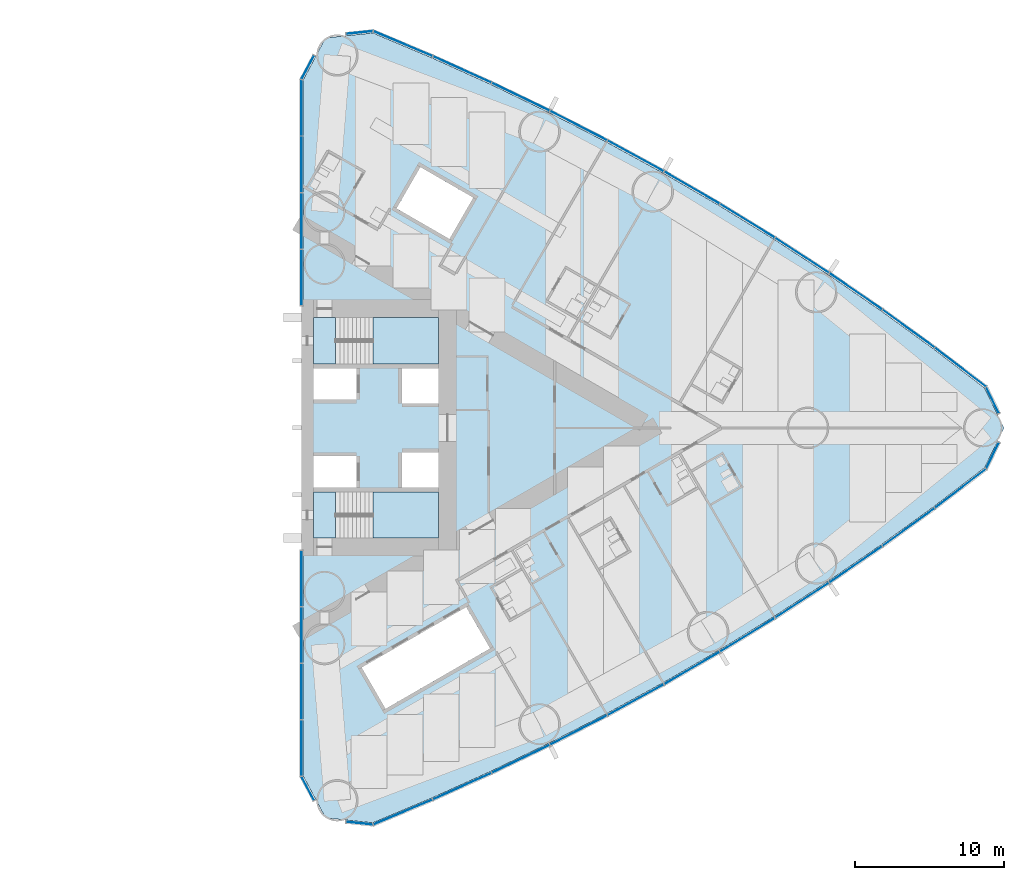
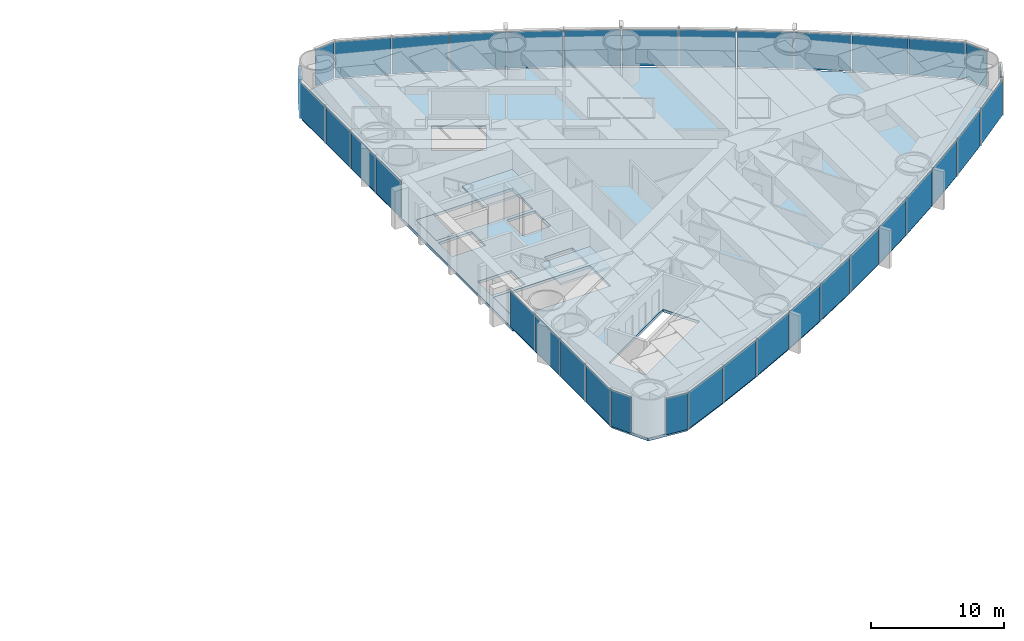
# One storey, part 10 of 19: 36 plates, 5 slabs, 6 elements without a shape of their own.
"""IFC4 building model written with IfcOpenShell, lengths in metres."""

from ifc_helpers import new_model, si_unit, direction, frame, origin, origin_2d, place, context, subcontext, project, spatial, polyline, rectangle, outline, extrude, material, layer, layer_set, type_object, element, aggregate, save


model = new_model("IFC4")

# Units and contexts
model_context = context("Model", 3, precision=1e-05, world=origin(), true_north=direction((0.0, 1.0)))
body_context = subcontext(model_context, "Body", "Model", "MODEL_VIEW")
ifc_project = project(units=[si_unit("LENGTHUNIT", "METRE"), si_unit("AREAUNIT", "SQUARE_METRE"), si_unit("VOLUMEUNIT", "CUBIC_METRE"), si_unit("PLANEANGLEUNIT", "RADIAN"), si_unit("MASSUNIT", "GRAM", prefix="KILO")], contexts=[model_context])

# Site, building, storey
site_placement = place(None, origin())
site = spatial("IfcSite", under=ifc_project, at=site_placement, CompositionType="ELEMENT")
building_placement = place(site_placement, origin())
building = spatial("IfcBuilding", under=site, at=building_placement, Name="Lancet Gate Hotel", CompositionType="ELEMENT")
storey_placement = place(building_placement, frame((0.0, 0.0, 67.0)))
storey = spatial("IfcBuildingStorey", under=building, at=storey_placement, Name="L17", CompositionType="ELEMENT", Elevation=67.0)

# Slab
ifc_material_1 = material(Name="Concrete C50/60", Category="concrete")
ifc_layer_1 = layer(ifc_material_1, 0.25)
ifc_layer_set_1 = layer_set([ifc_layer_1], Name="Floor slab 250")
slab_type_1 = type_object("IfcSlabType", Name="Floor slab 250", PredefinedType="FLOOR", material=ifc_layer_set_1)
slab_1_placement = place(storey_placement, frame((0.0, 0.0, -0.25)))
element("IfcSlab", 1, at=slab_1_placement, inside=storey, type_object=slab_type_1, Name="T2 L17 floor slab", PredefinedType="FLOOR", context=body_context, shape_type="SweptSolid", body=[
    extrude(outline(polyline([(27.5, -8.60009765625), (27.6201171875, -8.60009765625), (27.6201171875, -23.35498046875), (29.12158203125, -26.175537109375), (32.299072265625, -26.5048828125), (36.26708984375, -24.833740234375), (40.2177734375, -23.050048828125), (44.121826171875, -21.16650390625), (47.9765625, -19.18408203125), (51.77978515625, -17.104248046875), (55.528564453125, -14.92822265625), (59.220947265625, -12.657470703125), (62.854248046875, -10.29345703125), (66.42626953125, -7.837890625), (69.934814453125, -5.292236328125), (73.355712890625, -2.67431640625), (74.65576171875, 0.0), (73.355712890625, 2.67431640625), (69.934814453125, 5.292236328125), (66.42626953125, 7.837890625), (62.854248046875, 10.29345703125), (59.220947265625, 12.657470703125), (55.528564453125, 14.92822265625), (51.77978515625, 17.104248046875), (47.9765625, 19.18408203125), (44.121826171875, 21.16650390625), (40.2177734375, 23.050048828125), (36.26708984375, 24.833740234375), (32.299072265625, 26.5048828125), (29.12158203125, 26.175537109375), (27.6201171875, 23.35498046875), (27.6201171875, 8.60009765625), (27.5, 8.60009765625), (27.5, 8.199951171875), (27.5, -8.199951171875), (27.5, -8.60009765625)]), holes=[polyline([(36.699951171875, -7.39990234375), (36.699951171875, -4.300048828125), (28.300048828125, -4.300048828125), (28.300048828125, -7.39990234375), (36.699951171875, -7.39990234375)]), polyline([(28.300048828125, -4.0), (31.199951171875, -4.0), (31.199951171875, -1.89990234375), (28.300048828125, -1.89990234375), (28.300048828125, -4.0)]), polyline([(34.25, -4.0), (36.699951171875, -4.0), (36.699951171875, -1.64990234375), (34.25, -1.64990234375), (34.25, -4.0)]), polyline([(36.699951171875, 1.64990234375), (36.699951171875, 4.0), (34.25, 4.0), (34.25, 1.64990234375), (36.699951171875, 1.64990234375)]), polyline([(28.300048828125, 1.89990234375), (31.199951171875, 1.89990234375), (31.199951171875, 4.0), (28.300048828125, 4.0), (28.300048828125, 1.89990234375)]), polyline([(28.300048828125, 4.300048828125), (36.699951171875, 4.300048828125), (36.699951171875, 7.39990234375), (28.300048828125, 7.39990234375), (28.300048828125, 4.300048828125)]), polyline([(31.549072265625, -16.0810546875), (33.14892578125, -18.85205078125), (40.1640625, -14.802001953125), (38.56396484375, -12.031005859375), (31.549072265625, -16.0810546875)]), polyline([(33.887939453125, 14.73095703125), (37.43798828125, 12.680908203125), (39.0380859375, 15.451904296875), (35.488037109375, 17.501953125), (33.887939453125, 14.73095703125)])]), origin(), (0.0, 0.0, 1.0), 0.25),
])

# Stair, slabs
ifc_material_2 = material(Name="Exit stair 20 risers 1500")
stair_type = type_object("IfcStairType", Name="Exit stair 20 risers 1500", PredefinedType="HALF_TURN_STAIR", material=ifc_material_2)
stair_1_placement = place(storey_placement, origin())
stair_1 = element("IfcStair", 2, at=stair_1_placement, inside=storey, type_object=stair_type, Name="T2 stair 1 L17", PredefinedType="HALF_TURN_STAIR")
ifc_material_3 = material(Name="Concrete C40/50", Category="concrete")
ifc_layer_2 = layer(ifc_material_3, 0.199951171875)
ifc_layer_set_2 = layer_set([ifc_layer_2], Name="Stair landing 200")
slab_type_2 = type_object("IfcSlabType", Name="Stair landing 200", PredefinedType="LANDING", material=ifc_layer_set_2)
slab_2_placement = place(storey_placement, frame((0.0, 0.0, -0.199951171875)))
slab_2 = element("IfcSlab", 3, at=slab_2_placement, type_object=slab_type_2, Name="ST3 landing 1", PredefinedType="LANDING", context=body_context, shape_type="SweptSolid", body=[
    extrude(outline(polyline([(28.300048828125, -7.39990234375), (29.800048828125, -7.39990234375), (29.800048828125, -4.300048828125), (28.300048828125, -4.300048828125), (28.300048828125, -7.39990234375)])), origin(), (0.0, 0.0, 1.0), 0.199951171875),
])
slab_3_placement = place(storey_placement, frame((0.0, 0.0, 1.550048828125)))
slab_3 = element("IfcSlab", 4, at=slab_3_placement, type_object=slab_type_2, Name="ST3 landing 2", PredefinedType="LANDING", context=body_context, shape_type="SweptSolid", body=[
    extrude(outline(polyline([(32.320068359375, -7.39990234375), (36.699951171875, -7.39990234375), (36.699951171875, -4.300048828125), (32.320068359375, -4.300048828125), (32.320068359375, -7.39990234375)])), origin(), (0.0, 0.0, 1.0), 0.199951171875),
])
aggregate(stair_1, [slab_2, slab_3])

stair_2_placement = place(storey_placement, origin())
stair_2 = element("IfcStair", 5, at=stair_2_placement, inside=storey, type_object=stair_type, Name="T2 stair 2 L17", PredefinedType="HALF_TURN_STAIR")
slab_4_placement = place(storey_placement, frame((0.0, 0.0, -0.199951171875)))
slab_4 = element("IfcSlab", 6, at=slab_4_placement, type_object=slab_type_2, Name="ST4 landing 1", PredefinedType="LANDING", context=body_context, shape_type="SweptSolid", body=[
    extrude(outline(polyline([(28.300048828125, 4.300048828125), (29.800048828125, 4.300048828125), (29.800048828125, 7.39990234375), (28.300048828125, 7.39990234375), (28.300048828125, 4.300048828125)])), origin(), (0.0, 0.0, 1.0), 0.199951171875),
])
slab_5_placement = place(storey_placement, frame((0.0, 0.0, 1.550048828125)))
slab_5 = element("IfcSlab", 7, at=slab_5_placement, type_object=slab_type_2, Name="ST4 landing 2", PredefinedType="LANDING", context=body_context, shape_type="SweptSolid", body=[
    extrude(outline(polyline([(32.320068359375, 4.300048828125), (36.699951171875, 4.300048828125), (36.699951171875, 7.39990234375), (32.320068359375, 7.39990234375), (32.320068359375, 4.300048828125)])), origin(), (0.0, 0.0, 1.0), 0.199951171875),
])
aggregate(stair_2, [slab_4, slab_5])

# Curtain wall, plates
ifc_material_4 = material(Name="Aluminium curtain wall", Category="aluminium")
curtain_wall_type = type_object("IfcCurtainWallType", Name="Tower unitised curtain wall", PredefinedType="USERDEFINED", material=ifc_material_4)
curtain_wall_1_placement = place(storey_placement, origin())
curtain_wall_1 = element("IfcCurtainWall", 8, at=curtain_wall_1_placement, inside=storey, type_object=curtain_wall_type, Name="T2 L17 curtain wall 1", ObjectType="UNITISED CURTAIN WALL", PredefinedType="USERDEFINED")
ifc_material_5 = material(Name="Glass double glazed unit 8-16-6", Category="glass")
ifc_layer_3 = layer(ifc_material_5, 0.030029296875)
ifc_layer_set_3 = layer_set([ifc_layer_3], Name="Vision panel double glazed")
plate_type = type_object("IfcPlateType", Name="Vision panel double glazed", PredefinedType="CURTAIN_PANEL", material=ifc_layer_set_3)
plate_1_placement = place(storey_placement, frame((27.5, -10.09814453125, 0.0), z_axis=(0.0, 0.0, 1.0), x_axis=(0.0, -1.0, 0.0)))
plate_1 = element("IfcPlate", 9, at=plate_1_placement, type_object=plate_type, Name="T2 L17 curtain wall 1 panel 1", PredefinedType="CURTAIN_PANEL", context=body_context, shape_type="SweptSolid", body=[
    extrude(rectangle(XDim=3.731201171875, YDim=0.030029296875, at=origin_2d()), origin(), (0.0, 0.0, 1.0), 3.35009765625),
])
plate_2_placement = place(storey_placement, frame((27.5, -13.894287109375, 0.0), z_axis=(0.0, 0.0, 1.0), x_axis=(0.0, -1.0, 0.0)))
plate_2 = element("IfcPlate", 10, at=plate_2_placement, type_object=plate_type, Name="T2 L17 curtain wall 1 panel 2", PredefinedType="CURTAIN_PANEL", context=body_context, shape_type="SweptSolid", body=[
    extrude(rectangle(XDim=3.731201171875, YDim=0.030029296875, at=origin_2d()), origin(), (0.0, 0.0, 1.0), 3.35009765625),
])
plate_3_placement = place(storey_placement, frame((27.5, -17.6904296875, 0.0), z_axis=(0.0, 0.0, 1.0), x_axis=(0.0, -1.0, 0.0)))
plate_3 = element("IfcPlate", 11, at=plate_3_placement, type_object=plate_type, Name="T2 L17 curtain wall 1 panel 3", PredefinedType="CURTAIN_PANEL", context=body_context, shape_type="SweptSolid", body=[
    extrude(rectangle(XDim=3.731201171875, YDim=0.030029296875, at=origin_2d()), origin(), (0.0, 0.0, 1.0), 3.35009765625),
])
plate_4_placement = place(storey_placement, frame((27.5, -21.48681640625, 0.0), z_axis=(0.0, 0.0, 1.0), x_axis=(0.0, -1.0, 0.0)))
plate_4 = element("IfcPlate", 12, at=plate_4_placement, type_object=plate_type, Name="T2 L17 curtain wall 1 panel 4", PredefinedType="CURTAIN_PANEL", context=body_context, shape_type="SweptSolid", body=[
    extrude(rectangle(XDim=3.731201171875, YDim=0.030029296875, at=origin_2d()), origin(), (0.0, 0.0, 1.0), 3.35009765625),
])
plate_5_placement = place(storey_placement, frame((27.933349609375, -24.19873046875, 0.0), z_axis=(0.0, 0.0, 1.0), x_axis=(0.469897827284, -0.882720811987, 0.0)))
plate_5 = element("IfcPlate", 13, at=plate_5_placement, type_object=plate_type, Name="T2 L17 curtain wall 1 panel 5", PredefinedType="CURTAIN_PANEL", context=body_context, shape_type="SweptSolid", body=[
    extrude(rectangle(XDim=1.779052734375, YDim=0.030029296875, at=origin_2d()), origin(), (0.0, 0.0, 1.0), 3.35009765625),
])
aggregate(curtain_wall_1, [plate_1, plate_2, plate_3, plate_4, plate_5])

curtain_wall_2_placement = place(storey_placement, origin())
curtain_wall_2 = element("IfcCurtainWall", 14, at=curtain_wall_2_placement, inside=storey, type_object=curtain_wall_type, Name="T2 L17 curtain wall 2", ObjectType="UNITISED CURTAIN WALL", PredefinedType="USERDEFINED")
plate_6_placement = place(storey_placement, frame((31.400634765625, -26.532470703125, 0.0), z_axis=(0.0, 0.0, 1.0), x_axis=(0.994672262412, -0.10308778001, 0.0)))
plate_6 = element("IfcPlate", 15, at=plate_6_placement, type_object=plate_type, Name="T2 L17 curtain wall 2 panel 1", PredefinedType="CURTAIN_PANEL", context=body_context, shape_type="SweptSolid", body=[
    extrude(rectangle(XDim=1.7783203125, YDim=0.030029296875, at=origin_2d()), origin(), (0.0, 0.0, 1.0), 3.35009765625),
])
plate_7_placement = place(storey_placement, frame((34.316162109375, -25.78564453125, 0.0), z_axis=(0.0, 0.0, 1.0), x_axis=(0.92159330598, 0.38815689917, 0.0)))
plate_7 = element("IfcPlate", 16, at=plate_7_placement, type_object=plate_type, Name="T2 L17 curtain wall 2 panel 2", PredefinedType="CURTAIN_PANEL", context=body_context, shape_type="SweptSolid", body=[
    extrude(rectangle(XDim=4.272705078125, YDim=0.030029296875, at=origin_2d()), origin(), (0.0, 0.0, 1.0), 3.35009765625),
])
plate_8_placement = place(storey_placement, frame((38.291748046875, -24.05126953125, 0.0), z_axis=(0.0, 0.0, 1.0), x_axis=(0.911415640556, 0.41148697446, 0.0)))
plate_8 = element("IfcPlate", 17, at=plate_8_placement, type_object=plate_type, Name="T2 L17 curtain wall 2 panel 3", PredefinedType="CURTAIN_PANEL", context=body_context, shape_type="SweptSolid", body=[
    extrude(rectangle(XDim=4.272705078125, YDim=0.030029296875, at=origin_2d()), origin(), (0.0, 0.0, 1.0), 3.35009765625),
])
plate_9_placement = place(storey_placement, frame((42.221923828125, -22.21630859375, 0.0), z_axis=(0.0, 0.0, 1.0), x_axis=(0.90064748964, 0.434550456686, 0.0)))
plate_9 = element("IfcPlate", 18, at=plate_9_placement, type_object=plate_type, Name="T2 L17 curtain wall 2 panel 4", PredefinedType="CURTAIN_PANEL", context=body_context, shape_type="SweptSolid", body=[
    extrude(rectangle(XDim=4.272705078125, YDim=0.030029296875, at=origin_2d()), origin(), (0.0, 0.0, 1.0), 3.35009765625),
])
plate_10_placement = place(storey_placement, frame((46.10400390625, -20.281982421875, 0.0), z_axis=(0.0, 0.0, 1.0), x_axis=(0.889295829671, 0.457332403541, 0.0)))
plate_10 = element("IfcPlate", 19, at=plate_10_placement, type_object=plate_type, Name="T2 L17 curtain wall 2 panel 5", PredefinedType="CURTAIN_PANEL", context=body_context, shape_type="SweptSolid", body=[
    extrude(rectangle(XDim=4.272705078125, YDim=0.030029296875, at=origin_2d()), origin(), (0.0, 0.0, 1.0), 3.35009765625),
])
plate_11_placement = place(storey_placement, frame((49.935791015625, -18.249267578125, 0.0), z_axis=(0.0, 0.0, 1.0), x_axis=(0.877368015134, 0.47981805512, 0.0)))
plate_11 = element("IfcPlate", 20, at=plate_11_placement, type_object=plate_type, Name="T2 L17 curtain wall 2 panel 6", PredefinedType="CURTAIN_PANEL", context=body_context, shape_type="SweptSolid", body=[
    extrude(rectangle(XDim=4.272705078125, YDim=0.030029296875, at=origin_2d()), origin(), (0.0, 0.0, 1.0), 3.35009765625),
])
plate_12_placement = place(storey_placement, frame((53.71435546875, -16.119873046875, 0.0), z_axis=(0.0, 0.0, 1.0), x_axis=(0.864871773788, 0.501992843479, 0.0)))
plate_12 = element("IfcPlate", 21, at=plate_12_placement, type_object=plate_type, Name="T2 L17 curtain wall 2 panel 7", PredefinedType="CURTAIN_PANEL", context=body_context, shape_type="SweptSolid", body=[
    extrude(rectangle(XDim=4.272705078125, YDim=0.030029296875, at=origin_2d()), origin(), (0.0, 0.0, 1.0), 3.35009765625),
])
plate_13_placement = place(storey_placement, frame((57.437744140625, -13.89501953125, 0.0), z_axis=(0.0, 0.0, 1.0), x_axis=(0.851815201664, 0.523842402077, 0.0)))
plate_13 = element("IfcPlate", 22, at=plate_13_placement, type_object=plate_type, Name="T2 L17 curtain wall 2 panel 8", PredefinedType="CURTAIN_PANEL", context=body_context, shape_type="SweptSolid", body=[
    extrude(rectangle(XDim=4.272705078125, YDim=0.030029296875, at=origin_2d()), origin(), (0.0, 0.0, 1.0), 3.35009765625),
])
plate_14_placement = place(storey_placement, frame((61.10302734375, -11.576171875, 0.0), z_axis=(0.0, 0.0, 1.0), x_axis=(0.838206757819, 0.54535257508, 0.0)))
plate_14 = element("IfcPlate", 23, at=plate_14_placement, type_object=plate_type, Name="T2 L17 curtain wall 2 panel 9", PredefinedType="CURTAIN_PANEL", context=body_context, shape_type="SweptSolid", body=[
    extrude(rectangle(XDim=4.272705078125, YDim=0.030029296875, at=origin_2d()), origin(), (0.0, 0.0, 1.0), 3.35009765625),
])
plate_15_placement = place(storey_placement, frame((64.708251953125, -9.16455078125, 0.0), z_axis=(0.0, 0.0, 1.0), x_axis=(0.824055258853, 0.566509426538, 0.0)))
plate_15 = element("IfcPlate", 24, at=plate_15_placement, type_object=plate_type, Name="T2 L17 curtain wall 2 panel 10", PredefinedType="CURTAIN_PANEL", context=body_context, shape_type="SweptSolid", body=[
    extrude(rectangle(XDim=4.272705078125, YDim=0.030029296875, at=origin_2d()), origin(), (0.0, 0.0, 1.0), 3.35009765625),
])
plate_16_placement = place(storey_placement, frame((68.2509765625, -6.662109375, 0.0), z_axis=(0.0, 0.0, 1.0), x_axis=(0.809369873203, 0.587299249405, 0.0)))
plate_16 = element("IfcPlate", 25, at=plate_16_placement, type_object=plate_type, Name="T2 L17 curtain wall 2 panel 11", PredefinedType="CURTAIN_PANEL", context=body_context, shape_type="SweptSolid", body=[
    extrude(rectangle(XDim=4.272705078125, YDim=0.030029296875, at=origin_2d()), origin(), (0.0, 0.0, 1.0), 3.35009765625),
])
plate_17_placement = place(storey_placement, frame((71.72900390625, -4.0703125, 0.0), z_axis=(0.0, 0.0, 1.0), x_axis=(0.794160115195, 0.607708574428, 0.0)))
plate_17 = element("IfcPlate", 26, at=plate_17_placement, type_object=plate_type, Name="T2 L17 curtain wall 2 panel 12", PredefinedType="CURTAIN_PANEL", context=body_context, shape_type="SweptSolid", body=[
    extrude(rectangle(XDim=4.272705078125, YDim=0.030029296875, at=origin_2d()), origin(), (0.0, 0.0, 1.0), 3.35009765625),
])
plate_18_placement = place(storey_placement, frame((73.88671875, -1.856201171875, 0.0), z_axis=(0.0, 0.0, 1.0), x_axis=(0.437169070119, 0.899379343843, 0.0)))
plate_18 = element("IfcPlate", 27, at=plate_18_placement, type_object=plate_type, Name="T2 L17 curtain wall 2 panel 13", PredefinedType="CURTAIN_PANEL", context=body_context, shape_type="SweptSolid", body=[
    extrude(rectangle(XDim=1.92724609375, YDim=0.030029296875, at=origin_2d()), origin(), (0.0, 0.0, 1.0), 3.35009765625),
])
aggregate(curtain_wall_2, [plate_6, plate_7, plate_8, plate_9, plate_10, plate_11, plate_12, plate_13, plate_14, plate_15, plate_16, plate_17, plate_18])

curtain_wall_3_placement = place(storey_placement, origin())
curtain_wall_3 = element("IfcCurtainWall", 28, at=curtain_wall_3_placement, inside=storey, type_object=curtain_wall_type, Name="T2 L17 curtain wall 3", ObjectType="UNITISED CURTAIN WALL", PredefinedType="USERDEFINED")
plate_19_placement = place(storey_placement, frame((73.88671875, 1.856201171875, 0.0), z_axis=(0.0, 0.0, 1.0), x_axis=(-0.437169070119, 0.899379343843, 0.0)))
plate_19 = element("IfcPlate", 29, at=plate_19_placement, type_object=plate_type, Name="T2 L17 curtain wall 3 panel 1", PredefinedType="CURTAIN_PANEL", context=body_context, shape_type="SweptSolid", body=[
    extrude(rectangle(XDim=1.92724609375, YDim=0.030029296875, at=origin_2d()), origin(), (0.0, 0.0, 1.0), 3.35009765625),
])
plate_20_placement = place(storey_placement, frame((71.72900390625, 4.0703125, 0.0), z_axis=(0.0, 0.0, 1.0), x_axis=(-0.794160115195, 0.607708574428, 0.0)))
plate_20 = element("IfcPlate", 30, at=plate_20_placement, type_object=plate_type, Name="T2 L17 curtain wall 3 panel 2", PredefinedType="CURTAIN_PANEL", context=body_context, shape_type="SweptSolid", body=[
    extrude(rectangle(XDim=4.272705078125, YDim=0.030029296875, at=origin_2d()), origin(), (0.0, 0.0, 1.0), 3.35009765625),
])
plate_21_placement = place(storey_placement, frame((68.2509765625, 6.662109375, 0.0), z_axis=(0.0, 0.0, 1.0), x_axis=(-0.809369873203, 0.587299249405, 0.0)))
plate_21 = element("IfcPlate", 31, at=plate_21_placement, type_object=plate_type, Name="T2 L17 curtain wall 3 panel 3", PredefinedType="CURTAIN_PANEL", context=body_context, shape_type="SweptSolid", body=[
    extrude(rectangle(XDim=4.272705078125, YDim=0.030029296875, at=origin_2d()), origin(), (0.0, 0.0, 1.0), 3.35009765625),
])
plate_22_placement = place(storey_placement, frame((64.708251953125, 9.16455078125, 0.0), z_axis=(0.0, 0.0, 1.0), x_axis=(-0.824055258853, 0.566509426538, 0.0)))
plate_22 = element("IfcPlate", 32, at=plate_22_placement, type_object=plate_type, Name="T2 L17 curtain wall 3 panel 4", PredefinedType="CURTAIN_PANEL", context=body_context, shape_type="SweptSolid", body=[
    extrude(rectangle(XDim=4.272705078125, YDim=0.030029296875, at=origin_2d()), origin(), (0.0, 0.0, 1.0), 3.35009765625),
])
plate_23_placement = place(storey_placement, frame((61.10302734375, 11.576171875, 0.0), z_axis=(0.0, 0.0, 1.0), x_axis=(-0.838206757819, 0.54535257508, 0.0)))
plate_23 = element("IfcPlate", 33, at=plate_23_placement, type_object=plate_type, Name="T2 L17 curtain wall 3 panel 5", PredefinedType="CURTAIN_PANEL", context=body_context, shape_type="SweptSolid", body=[
    extrude(rectangle(XDim=4.272705078125, YDim=0.030029296875, at=origin_2d()), origin(), (0.0, 0.0, 1.0), 3.35009765625),
])
plate_24_placement = place(storey_placement, frame((57.437744140625, 13.89501953125, 0.0), z_axis=(0.0, 0.0, 1.0), x_axis=(-0.851815201664, 0.523842402077, 0.0)))
plate_24 = element("IfcPlate", 34, at=plate_24_placement, type_object=plate_type, Name="T2 L17 curtain wall 3 panel 6", PredefinedType="CURTAIN_PANEL", context=body_context, shape_type="SweptSolid", body=[
    extrude(rectangle(XDim=4.272705078125, YDim=0.030029296875, at=origin_2d()), origin(), (0.0, 0.0, 1.0), 3.35009765625),
])
plate_25_placement = place(storey_placement, frame((53.71435546875, 16.119873046875, 0.0), z_axis=(0.0, 0.0, 1.0), x_axis=(-0.864871773788, 0.501992843479, 0.0)))
plate_25 = element("IfcPlate", 35, at=plate_25_placement, type_object=plate_type, Name="T2 L17 curtain wall 3 panel 7", PredefinedType="CURTAIN_PANEL", context=body_context, shape_type="SweptSolid", body=[
    extrude(rectangle(XDim=4.272705078125, YDim=0.030029296875, at=origin_2d()), origin(), (0.0, 0.0, 1.0), 3.35009765625),
])
plate_26_placement = place(storey_placement, frame((49.935791015625, 18.249267578125, 0.0), z_axis=(0.0, 0.0, 1.0), x_axis=(-0.877368015134, 0.47981805512, 0.0)))
plate_26 = element("IfcPlate", 36, at=plate_26_placement, type_object=plate_type, Name="T2 L17 curtain wall 3 panel 8", PredefinedType="CURTAIN_PANEL", context=body_context, shape_type="SweptSolid", body=[
    extrude(rectangle(XDim=4.272705078125, YDim=0.030029296875, at=origin_2d()), origin(), (0.0, 0.0, 1.0), 3.35009765625),
])
plate_27_placement = place(storey_placement, frame((46.10400390625, 20.281982421875, 0.0), z_axis=(0.0, 0.0, 1.0), x_axis=(-0.889295829671, 0.457332403541, 0.0)))
plate_27 = element("IfcPlate", 37, at=plate_27_placement, type_object=plate_type, Name="T2 L17 curtain wall 3 panel 9", PredefinedType="CURTAIN_PANEL", context=body_context, shape_type="SweptSolid", body=[
    extrude(rectangle(XDim=4.272705078125, YDim=0.030029296875, at=origin_2d()), origin(), (0.0, 0.0, 1.0), 3.35009765625),
])
plate_28_placement = place(storey_placement, frame((42.221923828125, 22.21630859375, 0.0), z_axis=(0.0, 0.0, 1.0), x_axis=(-0.90064748964, 0.434550456686, 0.0)))
plate_28 = element("IfcPlate", 38, at=plate_28_placement, type_object=plate_type, Name="T2 L17 curtain wall 3 panel 10", PredefinedType="CURTAIN_PANEL", context=body_context, shape_type="SweptSolid", body=[
    extrude(rectangle(XDim=4.272705078125, YDim=0.030029296875, at=origin_2d()), origin(), (0.0, 0.0, 1.0), 3.35009765625),
])
plate_29_placement = place(storey_placement, frame((38.291748046875, 24.05126953125, 0.0), z_axis=(0.0, 0.0, 1.0), x_axis=(-0.911415640556, 0.41148697446, 0.0)))
plate_29 = element("IfcPlate", 39, at=plate_29_placement, type_object=plate_type, Name="T2 L17 curtain wall 3 panel 11", PredefinedType="CURTAIN_PANEL", context=body_context, shape_type="SweptSolid", body=[
    extrude(rectangle(XDim=4.272705078125, YDim=0.030029296875, at=origin_2d()), origin(), (0.0, 0.0, 1.0), 3.35009765625),
])
plate_30_placement = place(storey_placement, frame((34.316162109375, 25.78564453125, 0.0), z_axis=(0.0, 0.0, 1.0), x_axis=(-0.92159330598, 0.38815689917, 0.0)))
plate_30 = element("IfcPlate", 40, at=plate_30_placement, type_object=plate_type, Name="T2 L17 curtain wall 3 panel 12", PredefinedType="CURTAIN_PANEL", context=body_context, shape_type="SweptSolid", body=[
    extrude(rectangle(XDim=4.272705078125, YDim=0.030029296875, at=origin_2d()), origin(), (0.0, 0.0, 1.0), 3.35009765625),
])
plate_31_placement = place(storey_placement, frame((31.400634765625, 26.532470703125, 0.0), z_axis=(0.0, 0.0, 1.0), x_axis=(-0.994672262412, -0.10308778001, 0.0)))
plate_31 = element("IfcPlate", 41, at=plate_31_placement, type_object=plate_type, Name="T2 L17 curtain wall 3 panel 13", PredefinedType="CURTAIN_PANEL", context=body_context, shape_type="SweptSolid", body=[
    extrude(rectangle(XDim=1.7783203125, YDim=0.030029296875, at=origin_2d()), origin(), (0.0, 0.0, 1.0), 3.35009765625),
])
aggregate(curtain_wall_3, [plate_19, plate_20, plate_21, plate_22, plate_23, plate_24, plate_25, plate_26, plate_27, plate_28, plate_29, plate_30, plate_31])

curtain_wall_4_placement = place(storey_placement, origin())
curtain_wall_4 = element("IfcCurtainWall", 42, at=curtain_wall_4_placement, inside=storey, type_object=curtain_wall_type, Name="T2 L17 curtain wall 4", ObjectType="UNITISED CURTAIN WALL", PredefinedType="USERDEFINED")
plate_32_placement = place(storey_placement, frame((27.933349609375, 24.19873046875, 0.0), z_axis=(0.0, 0.0, 1.0), x_axis=(-0.469897827284, -0.882720811987, 0.0)))
plate_32 = element("IfcPlate", 43, at=plate_32_placement, type_object=plate_type, Name="T2 L17 curtain wall 4 panel 1", PredefinedType="CURTAIN_PANEL", context=body_context, shape_type="SweptSolid", body=[
    extrude(rectangle(XDim=1.779052734375, YDim=0.030029296875, at=origin_2d()), origin(), (0.0, 0.0, 1.0), 3.35009765625),
])
plate_33_placement = place(storey_placement, frame((27.5, 21.48681640625, 0.0), z_axis=(0.0, 0.0, 1.0), x_axis=(0.0, -1.0, 0.0)))
plate_33 = element("IfcPlate", 44, at=plate_33_placement, type_object=plate_type, Name="T2 L17 curtain wall 4 panel 2", PredefinedType="CURTAIN_PANEL", context=body_context, shape_type="SweptSolid", body=[
    extrude(rectangle(XDim=3.731201171875, YDim=0.030029296875, at=origin_2d()), origin(), (0.0, 0.0, 1.0), 3.35009765625),
])
plate_34_placement = place(storey_placement, frame((27.5, 17.6904296875, 0.0), z_axis=(0.0, 0.0, 1.0), x_axis=(0.0, -1.0, 0.0)))
plate_34 = element("IfcPlate", 45, at=plate_34_placement, type_object=plate_type, Name="T2 L17 curtain wall 4 panel 3", PredefinedType="CURTAIN_PANEL", context=body_context, shape_type="SweptSolid", body=[
    extrude(rectangle(XDim=3.731201171875, YDim=0.030029296875, at=origin_2d()), origin(), (0.0, 0.0, 1.0), 3.35009765625),
])
plate_35_placement = place(storey_placement, frame((27.5, 13.894287109375, 0.0), z_axis=(0.0, 0.0, 1.0), x_axis=(0.0, -1.0, 0.0)))
plate_35 = element("IfcPlate", 46, at=plate_35_placement, type_object=plate_type, Name="T2 L17 curtain wall 4 panel 4", PredefinedType="CURTAIN_PANEL", context=body_context, shape_type="SweptSolid", body=[
    extrude(rectangle(XDim=3.731201171875, YDim=0.030029296875, at=origin_2d()), origin(), (0.0, 0.0, 1.0), 3.35009765625),
])
plate_36_placement = place(storey_placement, frame((27.5, 10.09814453125, 0.0), z_axis=(0.0, 0.0, 1.0), x_axis=(0.0, -1.0, 0.0)))
plate_36 = element("IfcPlate", 47, at=plate_36_placement, type_object=plate_type, Name="T2 L17 curtain wall 4 panel 5", PredefinedType="CURTAIN_PANEL", context=body_context, shape_type="SweptSolid", body=[
    extrude(rectangle(XDim=3.731201171875, YDim=0.030029296875, at=origin_2d()), origin(), (0.0, 0.0, 1.0), 3.35009765625),
])
aggregate(curtain_wall_4, [plate_32, plate_33, plate_34, plate_35, plate_36])

save(model, "model.ifc")
